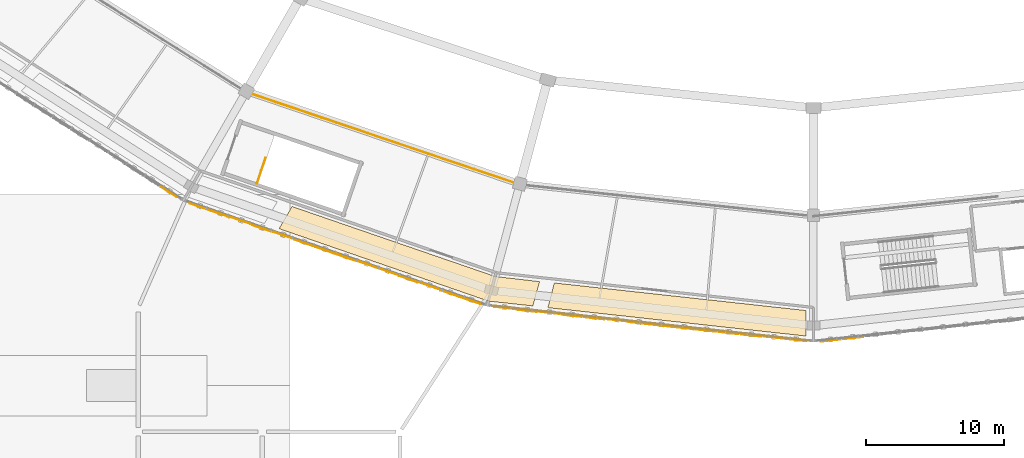
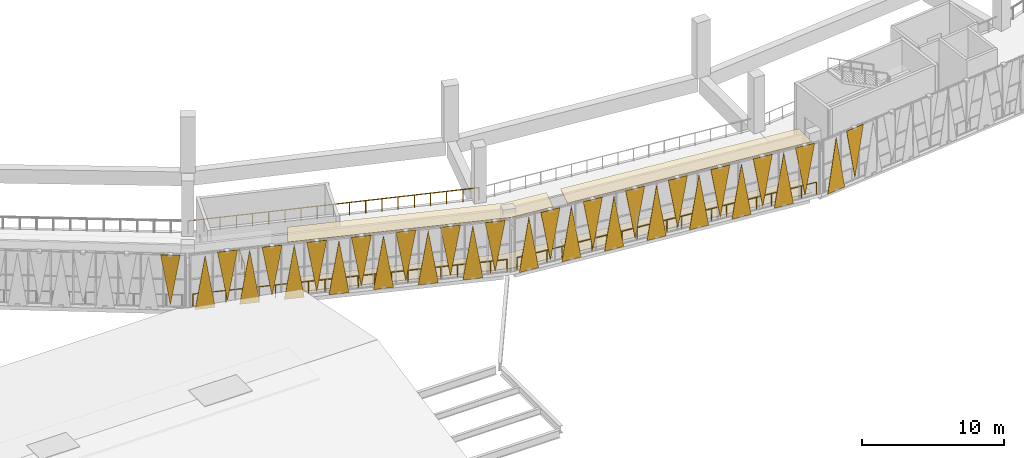
# One storey, part 85 of 108: 35 coverings, 4 railings.
"""IFC4 building model written with IfcOpenShell, lengths in metres."""

from ifc_helpers import new_model, si_unit, direction, frame, origin, origin_2d, place, context, subcontext, project, spatial, polyline, circle, outline, extrude, material, layer, layer_set, type_object, element, save


model = new_model("IFC4")

# Units and contexts
model_context = context("Model", 3, precision=1e-05, world=origin(), true_north=direction((0.0, 1.0)))
body_context = subcontext(model_context, "Body", "Model", "MODEL_VIEW")
ifc_project = project(units=[si_unit("LENGTHUNIT", "METRE"), si_unit("AREAUNIT", "SQUARE_METRE"), si_unit("VOLUMEUNIT", "CUBIC_METRE"), si_unit("PLANEANGLEUNIT", "RADIAN"), si_unit("MASSUNIT", "GRAM", prefix="KILO")], contexts=[model_context])

# Site, building, storey
site_placement = place(None, origin())
site = spatial("IfcSite", under=ifc_project, at=site_placement, CompositionType="ELEMENT")
building_placement = place(site_placement, origin())
building = spatial("IfcBuilding", under=site, at=building_placement, Name="Zevraka Park Crest Stadium", CompositionType="ELEMENT")
storey_placement = place(building_placement, frame((0.0, 0.0, 19.800048828125)))
storey = spatial("IfcBuildingStorey", under=building, at=storey_placement, Name="L04", CompositionType="ELEMENT", Elevation=19.800048828125)

# Coverings
ifc_material_1 = material(Name="Architectural golden-bronze perforated aluminium", Category="aluminium")
ifc_layer_1 = layer(ifc_material_1, 0.034912109375)
ifc_layer_set_1 = layer_set([ifc_layer_1], Name="Architectural golden-bronze perforated aluminium")
covering_type_1 = type_object("IfcCoveringType", Name="CLD01", PredefinedType="CLADDING", material=ifc_layer_set_1)
covering_1_placement = place(storey_placement, frame((65.803955078125, 26.034912109375, 4.52001953125), z_axis=(0.539794335402, 0.841796917823, 0.000156883126), x_axis=(-0.841796928182, 0.539794342045, 0.0)))
element("IfcCovering", 1, at=covering_1_placement, inside=storey, type_object=covering_type_1, Name="Triangular Golden-Bronze Perforated Cladding L04-15-14", PredefinedType="CLADDING", context=body_context, shape_type="SweptSolid", body=[
    extrude(outline(polyline([(0.0, 0.0), (1.3839906318215187, -1.3552527156068805e-20), (0.691847853710497, -4.30004888104208), (0.0, 0.0)])), origin(), (0.0, 0.0, -1.0), 0.034912109375),
])
covering_2_placement = place(storey_placement, frame((66.7509765625, 25.575927734375, -0.219970703125), z_axis=(0.327569382519, 0.944827124489, 6.6818913e-05), x_axis=(0.944827126599, -0.327569383251, 0.0)))
element("IfcCovering", 2, at=covering_2_placement, inside=storey, type_object=covering_type_1, Name="Triangular Golden-Bronze Perforated Cladding L04-16-1", PredefinedType="CLADDING", context=body_context, shape_type="SweptSolid", body=[
    extrude(outline(polyline([(0.0, 0.0), (1.4436648075350447, 0.0), (0.7220676986010613, -4.579833994598946), (0.0, 0.0)])), origin(), (0.0, 0.0, -1.0), 0.034912109375),
])
covering_3_placement = place(storey_placement, frame((69.631103515625, 24.577880859375, 4.52001953125), z_axis=(0.327511028008, 0.944847346538, 0.000135182038), x_axis=(-0.944847355171, 0.327511031, 0.0)))
element("IfcCovering", 3, at=covering_3_placement, inside=storey, type_object=covering_type_1, Name="Triangular Golden-Bronze Perforated Cladding L04-16-2", PredefinedType="CLADDING", context=body_context, shape_type="SweptSolid", body=[
    extrude(outline(polyline([(0.0, 0.0), (1.4446674660249328, 0.0), (0.7221476370723403, -4.300048867414942), (0.0, 0.0)])), origin(), (0.0, 0.0, -1.0), 0.034912109375),
])
covering_4_placement = place(storey_placement, frame((69.781982421875, 24.52587890625, -0.219970703125), z_axis=(-0.327569380281, -0.944827118034, 0.000134647502), x_axis=(0.944827126599, -0.327569383251, 0.0)))
element("IfcCovering", 4, at=covering_4_placement, inside=storey, type_object=covering_type_1, Name="Triangular Golden-Bronze Perforated Cladding L04-16-3", PredefinedType="CLADDING", context=body_context, shape_type="SweptSolid", body=[
    extrude(outline(polyline([(0.0, 0.0), (1.4436648075350447, 0.0), (0.7217478066252305, 4.579834025891081), (0.0, 0.0)])), origin(), (0.0, 0.0, -1.0), 0.034912109375),
])
covering_5_placement = place(storey_placement, frame((72.662109375, 23.529052734375, 4.52001953125), z_axis=(0.326756380896, 0.945108600925, 9.98142e-07), x_axis=(-0.945108600926, 0.326756380896, 0.0)))
element("IfcCovering", 5, at=covering_5_placement, inside=storey, type_object=covering_type_1, Name="Triangular Golden-Bronze Perforated Cladding L04-16-4", PredefinedType="CLADDING", context=body_context, shape_type="SweptSolid", body=[
    extrude(outline(polyline([(0.0, 0.0), (1.4442681328241207, 5.293955920339377e-23), (0.7217480700517487, -4.300048828127142), (0.0, 0.0)])), origin(), (0.0, 0.0, -1.0), 0.034912109375),
])
covering_6_placement = place(storey_placement, frame((72.81298828125, 23.47607421875, -0.219970703125), z_axis=(-0.327116373158, -0.944984062477, 8.718918e-06), x_axis=(0.944984062513, -0.32711637317, 0.0)))
element("IfcCovering", 6, at=covering_6_placement, inside=storey, type_object=covering_type_1, Name="Triangular Golden-Bronze Perforated Cladding L04-16-5", PredefinedType="CLADDING", context=body_context, shape_type="SweptSolid", body=[
    extrude(outline(polyline([(0.0, 0.0), (1.4434250544366414, 8.470329472543003e-22), (0.7218278817181392, 4.579833984549079), (0.0, 0.0)])), origin(), (0.0, 0.0, -1.0), 0.034912109375),
])
covering_7_placement = place(storey_placement, frame((75.693115234375, 22.47900390625, 4.52001953125), z_axis=(0.32696531961, 0.945036337642, 1.7545876e-05), x_axis=(-0.945036337788, 0.326965319661, 0.0)))
element("IfcCovering", 7, at=covering_7_placement, inside=storey, type_object=covering_type_1, Name="Triangular Golden-Bronze Perforated Cladding L04-16-6", PredefinedType="CLADDING", context=body_context, shape_type="SweptSolid", body=[
    extrude(outline(polyline([(0.0, 0.0), (1.443345210479487, 0.0), (0.7218278788795688, -4.3000488287869025), (0.0, 0.0)])), origin(), (0.0, 0.0, -1.0), 0.034912109375),
])
covering_8_placement = place(storey_placement, frame((75.843994140625, 22.427001953125, -0.219970703125), z_axis=(0.327569380281, 0.944827118034, 0.000134647502), x_axis=(0.944827126599, -0.327569383251, 0.0)))
element("IfcCovering", 8, at=covering_8_placement, inside=storey, type_object=covering_type_1, Name="Triangular Golden-Bronze Perforated Cladding L04-16-7", PredefinedType="CLADDING", context=body_context, shape_type="SweptSolid", body=[
    extrude(outline(polyline([(0.0, 0.0), (1.4436648075350447, 0.0), (0.7219170009098143, -4.579834025891081), (0.0, 0.0)])), origin(), (0.0, 0.0, -1.0), 0.034912109375),
])
covering_9_placement = place(storey_placement, frame((78.72412109375, 21.428955078125, 4.52001953125), z_axis=(0.327720334869, 0.944774773432, 9.7978163e-05), x_axis=(-0.944774777967, 0.327720336442, 0.0)))
element("IfcCovering", 9, at=covering_9_placement, inside=storey, type_object=covering_type_1, Name="Triangular Golden-Bronze Perforated Cladding L04-16-8", PredefinedType="CLADDING", context=body_context, shape_type="SweptSolid", body=[
    extrude(outline(polyline([(0.0, 0.0), (1.4437447989564163, 0.0), (0.7221477481261248, -4.300048848764634), (0.0, 0.0)])), origin(), (0.0, 0.0, -1.0), 0.034912109375),
])
covering_10_placement = place(storey_placement, frame((78.875, 21.376953125, -0.219970703125), z_axis=(-0.326965319616, -0.945036337659, 1.6473986e-05), x_axis=(0.945036337788, -0.326965319661, 0.0)))
element("IfcCovering", 10, at=covering_10_placement, inside=storey, type_object=covering_type_1, Name="Triangular Golden-Bronze Perforated Cladding L04-16-9", PredefinedType="CLADDING", context=body_context, shape_type="SweptSolid", body=[
    extrude(outline(polyline([(0.0, 0.0), (1.4433452104794873, -8.470329472543003e-22), (0.7215173315999183, 4.5798339849964655), (0.0, 0.0)])), origin(), (0.0, 0.0, -1.0), 0.034912109375),
])
covering_11_placement = place(storey_placement, frame((81.7548828125, 20.3798828125, 4.52001953125), z_axis=(-0.327168665481, -0.944965959348, 0.0), x_axis=(-0.944965959348, 0.327168665481, 0.0)))
element("IfcCovering", 11, at=covering_11_placement, inside=storey, type_object=covering_type_1, Name="Triangular Golden-Bronze Perforated Cladding L04-16-10", PredefinedType="CLADDING", context=body_context, shape_type="SweptSolid", body=[
    extrude(outline(polyline([(0.0, 0.0), (1.4431943476466869, 0.0), (0.7215971738233434, 4.300048828125001), (0.0, 0.0)])), origin(), (0.0, 0.0, -1.0), 0.034912109375),
])
covering_12_placement = place(storey_placement, frame((81.906005859375, 20.326904296875, -0.219970703125), z_axis=(0.326756380841, 0.945108600766, 1.8355811e-05), x_axis=(0.945108600926, -0.326756380896, 0.0)))
element("IfcCovering", 12, at=covering_12_placement, inside=storey, type_object=covering_type_1, Name="Triangular Golden-Bronze Perforated Cladding L04-16-11", PredefinedType="CLADDING", context=body_context, shape_type="SweptSolid", body=[
    extrude(outline(polyline([(0.0, 0.0), (1.4442681328241207, 0.0), (0.7215173306472258, -4.579833985146555), (0.0, 0.0)])), origin(), (0.0, 0.0, -1.0), 0.034912109375),
])
covering_13_placement = place(storey_placement, frame((84.785888671875, 19.330078125, 4.52001953125), z_axis=(-0.327621727638, -0.944808967779, 0.000134106763), x_axis=(-0.944808976275, 0.327621730584, 0.0)))
element("IfcCovering", 13, at=covering_13_placement, inside=storey, type_object=covering_type_1, Name="Triangular Golden-Bronze Perforated Cladding L04-16-12", PredefinedType="CLADDING", context=body_context, shape_type="SweptSolid", body=[
    extrude(outline(polyline([(0.0, 0.0), (1.4434341390652787, 0.0), (0.7215171050974682, 4.300048866792382), (0.0, 0.0)])), origin(), (0.0, 0.0, -1.0), 0.034912109375),
])
covering_14_placement = place(storey_placement, frame((84.93701171875, 19.278076171875, -0.219970703125), z_axis=(0.327511027586, 0.944847345323, 0.00014438255), x_axis=(0.944847355171, -0.327511031, 0.0)))
element("IfcCovering", 14, at=covering_14_placement, inside=storey, type_object=covering_type_1, Name="Triangular Golden-Bronze Perforated Cladding L04-16-13", PredefinedType="CLADDING", context=body_context, shape_type="SweptSolid", body=[
    extrude(outline(polyline([(0.0, 0.0), (1.4446674660249328, 0.0), (0.7219169614485192, -4.5798340321113455), (0.0, 0.0)])), origin(), (0.0, 0.0, -1.0), 0.034912109375),
])
covering_15_placement = place(storey_placement, frame((87.81689453125, 18.280029296875, 4.52001953125), z_axis=(0.327569379882, 0.944827116883, 0.000143408419), x_axis=(-0.944827126599, 0.327569383251, 0.0)))
element("IfcCovering", 15, at=covering_15_placement, inside=storey, type_object=covering_type_1, Name="Triangular Golden-Bronze Perforated Cladding L04-16-14", PredefinedType="CLADDING", context=body_context, shape_type="SweptSolid", body=[
    extrude(outline(polyline([(0.0, 0.0), (1.4436648075350447, 1.3552527156068805e-20), (0.7219170009098143, -4.300048872342348), (0.0, 0.0)])), origin(), (0.0, 0.0, -1.0), 0.034912109375),
])
covering_16_placement = place(storey_placement, frame((88.844970703125, 18.049072265625, -0.219970703125), z_axis=(-0.109760215407, -0.993958095246, 2.925535e-06), x_axis=(0.99395809525, -0.109760215408, 0.0)))
element("IfcCovering", 16, at=covering_16_placement, inside=storey, type_object=covering_type_1, Name="Triangular Golden-Bronze Perforated Cladding L04-17-1", PredefinedType="CLADDING", context=body_context, shape_type="SweptSolid", body=[
    extrude(outline(polyline([(0.0, 0.0), (1.4769411156667285, 0.0), (0.7385918906086634, 4.579833984394599), (0.0, 0.0)])), origin(), (0.0, 0.0, -1.0), 0.034912109375),
])
covering_17_placement = place(storey_placement, frame((91.94091796875, 17.7080078125, 4.52001953125), z_axis=(0.109688126843, 0.993966053036, 1.55692e-05), x_axis=(-0.993966053156, 0.109688126857, 0.0)))
element("IfcCovering", 17, at=covering_17_placement, inside=storey, type_object=covering_type_1, Name="Triangular Golden-Bronze Perforated Cladding L04-17-2", PredefinedType="CLADDING", context=body_context, shape_type="SweptSolid", body=[
    extrude(outline(polyline([(0.0, 0.0), (1.477911781756094, 0.0), (0.7383492221444313, -4.300048828646166), (0.0, 0.0)])), origin(), (0.0, 0.0, -1.0), 0.034912109375),
])
covering_18_placement = place(storey_placement, frame((92.10009765625, 17.69091796875, -0.219970703125), z_axis=(-0.10952491697, -0.993984050386, 1.1897208e-05), x_axis=(0.993984050456, -0.109524916977, 0.0)))
element("IfcCovering", 18, at=covering_18_placement, inside=storey, type_object=covering_type_1, Name="Triangular Golden-Bronze Perforated Cladding L04-17-3", PredefinedType="CLADDING", context=body_context, shape_type="SweptSolid", body=[
    extrude(outline(polyline([(0.0, 0.0), (1.477885022351149, 0.0), (0.7383224617164366, 4.579833984699124), (0.0, 0.0)])), origin(), (0.0, 0.0, -1.0), 0.034912109375),
])
covering_19_placement = place(storey_placement, frame((95.196044921875, 17.35009765625, 4.52001953125), z_axis=(0.108943553738, 0.994047934179, 8.156476e-05), x_axis=(-0.994047937486, 0.1089435541, 0.0)))
element("IfcCovering", 19, at=covering_19_placement, inside=storey, type_object=covering_type_1, Name="Triangular Golden-Bronze Perforated Cladding L04-17-4", PredefinedType="CLADDING", context=body_context, shape_type="SweptSolid", body=[
    extrude(outline(polyline([(0.0, 0.0), (1.476807629456759, -1.6940658945086007e-21), (0.73856505479183, -4.300048842428705), (0.0, 0.0)])), origin(), (0.0, 0.0, -1.0), 0.034912109375),
])
covering_20_placement = place(storey_placement, frame((95.35595703125, 17.33203125, -0.219970703125), z_axis=(0.109106903485, 0.994030016141, 0.000103070877), x_axis=(0.994030021421, -0.109106904064, 0.0)))
element("IfcCovering", 20, at=covering_20_placement, inside=storey, type_object=covering_type_1, Name="Triangular Golden-Bronze Perforated Cladding L04-17-5", PredefinedType="CLADDING", context=body_context, shape_type="SweptSolid", body=[
    extrude(outline(polyline([(0.0, 0.0), (1.4768342469445075, 0.0), (0.738591739883103, -4.579834008702176), (0.0, 0.0)])), origin(), (0.0, 0.0, -1.0), 0.034912109375),
])
covering_21_placement = place(storey_placement, frame((98.451904296875, 16.990966796875, 4.52001953125), z_axis=(-0.109688126852, -0.993966053113, 9.34152e-06), x_axis=(-0.993966053156, 0.109688126857, 0.0)))
element("IfcCovering", 21, at=covering_21_placement, inside=storey, type_object=covering_type_1, Name="Triangular Golden-Bronze Perforated Cladding L04-17-6", PredefinedType="CLADDING", context=body_context, shape_type="SweptSolid", body=[
    extrude(outline(polyline([(0.0, 0.0), (1.477911781756094, -2.117582368135751e-22), (0.7393198921182166, 4.30004882831262), (0.0, 0.0)])), origin(), (0.0, 0.0, -1.0), 0.034912109375),
])
covering_22_placement = place(storey_placement, frame((98.611083984375, 16.97412109375, -0.219970703125), z_axis=(0.109760215407, 0.993958095246, 2.925535e-06), x_axis=(0.99395809525, -0.109760215408, 0.0)))
element("IfcCovering", 22, at=covering_22_placement, inside=storey, type_object=covering_type_1, Name="Triangular Golden-Bronze Perforated Cladding L04-17-7", PredefinedType="CLADDING", context=body_context, shape_type="SweptSolid", body=[
    extrude(outline(polyline([(0.0, 0.0), (1.4769411156667285, 0.0), (0.7383492250580652, -4.579833984394599), (0.0, 0.0)])), origin(), (0.0, 0.0, -1.0), 0.034912109375),
])
covering_23_placement = place(storey_placement, frame((101.70703125, 16.633056640625, 4.52001953125), z_axis=(0.109596900839, 0.993976115757, 2.5105865e-05), x_axis=(-0.993976116071, 0.109596900874, 0.0)))
element("IfcCovering", 23, at=covering_23_placement, inside=storey, type_object=covering_type_1, Name="Triangular Golden-Bronze Perforated Cladding L04-17-8", PredefinedType="CLADDING", context=body_context, shape_type="SweptSolid", body=[
    extrude(outline(polyline([(0.0, 0.0), (1.4769143386748145, 0.0), (0.7385918828404522, -4.300048829480171), (0.0, 0.0)])), origin(), (0.0, 0.0, -1.0), 0.034912109375),
])
covering_24_placement = place(storey_placement, frame((101.865966796875, 16.615966796875, -0.219970703125), z_axis=(0.10952491697, 0.993984050386, 1.1897208e-05), x_axis=(0.993984050456, -0.109524916977, 0.0)))
element("IfcCovering", 24, at=covering_24_placement, inside=storey, type_object=covering_type_1, Name="Triangular Golden-Bronze Perforated Cladding L04-17-9", PredefinedType="CLADDING", context=body_context, shape_type="SweptSolid", body=[
    extrude(outline(polyline([(0.0, 0.0), (1.477885022351149, 0.0), (0.7395625606347125, -4.579833984699124), (0.0, 0.0)])), origin(), (0.0, 0.0, -1.0), 0.034912109375),
])
covering_25_placement = place(storey_placement, frame((104.9619140625, 16.27490234375, 4.52001953125), z_axis=(0.10910690333, 0.994030014736, 0.000115971923), x_axis=(-0.994030021421, 0.109106904064, 0.0)))
element("IfcCovering", 25, at=covering_25_placement, inside=storey, type_object=covering_type_1, Name="Triangular Golden-Bronze Perforated Cladding L04-17-10", PredefinedType="CLADDING", context=body_context, shape_type="SweptSolid", body=[
    extrude(outline(polyline([(0.0, 0.0), (1.4768342469445075, 3.3881317890172014e-21), (0.7383490567724047, -4.300048857041725), (0.0, 0.0)])), origin(), (0.0, 0.0, -1.0), 0.034912109375),
])
covering_26_placement = place(storey_placement, frame((105.1220703125, 16.257080078125, -0.219970703125), z_axis=(0.109106903417, 0.994030015528, 0.00010888712), x_axis=(0.994030021421, -0.109106904064, 0.0)))
element("IfcCovering", 26, at=covering_26_placement, inside=storey, type_object=covering_type_1, Name="Triangular Golden-Bronze Perforated Cladding L04-17-11", PredefinedType="CLADDING", context=body_context, shape_type="SweptSolid", body=[
    extrude(outline(polyline([(0.0, 0.0), (1.4768342469445075, 0.0), (0.7383490567724047, -4.579834011525183), (0.0, 0.0)])), origin(), (0.0, 0.0, -1.0), 0.034912109375),
])
covering_27_placement = place(storey_placement, frame((108.218017578125, 15.916015625, 4.52001953125), z_axis=(0.1095249169, 0.993984049756, 3.7544961e-05), x_axis=(-0.993984050456, 0.109524916977, 0.0)))
element("IfcCovering", 27, at=covering_27_placement, inside=storey, type_object=covering_type_1, Name="Triangular Golden-Bronze Perforated Cladding L04-17-12", PredefinedType="CLADDING", context=body_context, shape_type="SweptSolid", body=[
    extrude(outline(polyline([(0.0, 0.0), (1.477885022351149, 0.0), (0.7385918730854389, -4.300048831155727), (0.0, 0.0)])), origin(), (0.0, 0.0, -1.0), 0.034912109375),
])
covering_28_placement = place(storey_placement, frame((108.376953125, 15.89892578125, -0.219970703125), z_axis=(-0.10952491696, -0.9939840503, 1.7735735e-05), x_axis=(0.993984050456, -0.109524916977, 0.0)))
element("IfcCovering", 28, at=covering_28_placement, inside=storey, type_object=covering_type_1, Name="Triangular Golden-Bronze Perforated Cladding L04-17-13", PredefinedType="CLADDING", context=body_context, shape_type="SweptSolid", body=[
    extrude(outline(polyline([(0.0, 0.0), (1.477885022351149, -4.235164736271502e-22), (0.738565133603755, 4.579833985095308), (0.0, 0.0)])), origin(), (0.0, 0.0, -1.0), 0.034912109375),
])
covering_29_placement = place(storey_placement, frame((111.472900390625, 15.55810546875, 4.52001953125), z_axis=(-0.109596900839, -0.993976115757, 2.5105865e-05), x_axis=(-0.993976116071, 0.109596900874, 0.0)))
element("IfcCovering", 29, at=covering_29_placement, inside=storey, type_object=covering_type_1, Name="Triangular Golden-Bronze Perforated Cladding L04-17-14", PredefinedType="CLADDING", context=body_context, shape_type="SweptSolid", body=[
    extrude(outline(polyline([(0.0, 0.0), (1.4769143386748145, 0.0), (0.7383224558343622, 4.300048829480171), (0.0, 0.0)])), origin(), (0.0, 0.0, -1.0), 0.034912109375),
])
covering_30_placement = place(storey_placement, frame((112.527099609375, 15.55810546875, -0.219970703125), z_axis=(-0.109596900843, 0.993976115794, 2.3572131e-05), x_axis=(0.993976116071, 0.109596900874, 0.0)))
element("IfcCovering", 30, at=covering_30_placement, inside=storey, type_object=covering_type_1, Name="Triangular Golden-Bronze Perforated Cladding L04-18-1", PredefinedType="CLADDING", context=body_context, shape_type="SweptSolid", body=[
    extrude(outline(polyline([(0.0, 0.0), (1.4769143386748145, 0.0), (0.7383224558343622, -4.579833985647383), (0.0, 0.0)])), origin(), (0.0, 0.0, -1.0), 0.034912109375),
])
covering_31_placement = place(storey_placement, frame((115.623046875, 15.89892578125, 4.52001953125), z_axis=(-0.109524916958, 0.993984050279, 1.8889721e-05), x_axis=(-0.993984050456, -0.109524916977, 0.0)))
element("IfcCovering", 31, at=covering_31_placement, inside=storey, type_object=covering_type_1, Name="Triangular Golden-Bronze Perforated Cladding L04-18-2", PredefinedType="CLADDING", context=body_context, shape_type="SweptSolid", body=[
    extrude(outline(polyline([(0.0, 0.0), (1.477885022351149, 0.0), (0.738565133603755, -4.300048828892176), (0.0, 0.0)])), origin(), (0.0, 0.0, -1.0), 0.034912109375),
])
ifc_material_2 = material(Name="Perforated acoustic mineral-fibre suspended ceiling", Category="other")
ifc_layer_2 = layer(ifc_material_2, 0.02490234375)
ifc_layer_set_2 = layer_set([ifc_layer_2], Name="Perforated acoustic mineral-fibre suspended ceiling")
covering_type_2 = type_object("IfcCoveringType", Name="CLG01", PredefinedType="CEILING", material=ifc_layer_set_2)
covering_32_placement = place(storey_placement, frame((0.0, 0.0, 4.39990234375)))
element("IfcCovering", 32, at=covering_32_placement, inside=storey, type_object=covering_type_2, Name="Acoustic Ceiling Hospitality Suite L04-037", PredefinedType="CEILING", context=body_context, shape_type="SweptSolid", body=[
    extrude(outline(polyline([(73.218017578125, 23.738037109375), (74.160888671875, 25.345947265625), (88.884033203125, 20.27490234375), (88.905029296875, 20.26904296875), (88.926025390625, 20.264892578125), (92.125, 19.89599609375), (91.636962890625, 18.1279296875), (88.406005859375, 18.47900390625), (73.218017578125, 23.738037109375)])), origin(), (0.0, 0.0, 1.0), 0.025146484375),
])
covering_33_placement = place(storey_placement, frame((0.0, 0.0, 4.39990234375)))
element("IfcCovering", 33, at=covering_33_placement, inside=storey, type_object=covering_type_2, Name="Acoustic Ceiling Hospitality Suite L04-038", PredefinedType="CEILING", context=body_context, shape_type="SweptSolid", body=[
    extrude(outline(polyline([(92.72607421875, 18.00390625), (93.197021484375, 19.798095703125), (111.47607421875, 17.7958984375), (111.468017578125, 15.94091796875), (92.72607421875, 18.00390625)])), origin(), (0.0, 0.0, 1.0), 0.025146484375),
])
ifc_material_3 = material(Name="Honed terrazzo and slip-resistant sports flooring", Category="other")
ifc_layer_3 = layer(ifc_material_3, 0.0400390625)
ifc_layer_set_3 = layer_set([ifc_layer_3], Name="Honed terrazzo and slip-resistant sports flooring")
covering_type_3 = type_object("IfcCoveringType", Name="FLR01", PredefinedType="FLOORING", material=ifc_layer_set_3)
covering_34_placement = place(storey_placement, origin())
element("IfcCovering", 34, at=covering_34_placement, inside=storey, type_object=covering_type_3, Name="Terrazzo Floor Finish Hospitality Suite L04-037", PredefinedType="FLOORING", context=body_context, shape_type="SweptSolid", body=[
    extrude(outline(polyline([(73.218017578125, 23.738037109375), (74.160888671875, 25.345947265625), (88.884033203125, 20.27490234375), (88.905029296875, 20.26904296875), (88.926025390625, 20.264892578125), (92.125, 19.89599609375), (91.636962890625, 18.1279296875), (88.406005859375, 18.47900390625), (73.218017578125, 23.738037109375)])), origin(), (0.0, 0.0, 1.0), 0.0400390625),
])
covering_35_placement = place(storey_placement, origin())
element("IfcCovering", 35, at=covering_35_placement, inside=storey, type_object=covering_type_3, Name="Terrazzo Floor Finish Hospitality Suite L04-038", PredefinedType="FLOORING", context=body_context, shape_type="SweptSolid", body=[
    extrude(outline(polyline([(92.72607421875, 18.00390625), (93.197021484375, 19.798095703125), (111.47607421875, 17.7958984375), (111.468017578125, 15.94091796875), (92.72607421875, 18.00390625)])), origin(), (0.0, 0.0, 1.0), 0.0400390625),
])

# Railings
ifc_material_4 = material(Name="Galvanised and bronze-finished steel balustrade", Category="steel")
railing_type_1 = type_object("IfcRailingType", Name="GR01", PredefinedType="GUARDRAIL", material=ifc_material_4)
railing_1_placement = place(storey_placement, frame((111.639892578125, 15.610107421875, 0.0)))
element("IfcRailing", 36, at=railing_1_placement, inside=storey, type_object=railing_type_1, Name="Deck Edge Protection Guardrail GR01 L04-19", PredefinedType="GUARDRAIL", context=body_context, shape_type="SweptSolid", body=[
    extrude(circle(Radius=0.02392578125, at=origin_2d()), frame((0.0, 0.0, 1.076171875), z_axis=(-0.993997671701, 0.109401227843, 0.0), x_axis=(-0.109401227843, -0.993997671701, 0.0)), (0.0, 0.0, 1.0), 23.0703125),
    extrude(circle(Radius=0.02099609375, at=origin_2d()), origin(), (0.0, 0.0, 1.0), 1.052001953125),
    extrude(circle(Radius=0.02099609375, at=origin_2d()), frame((-1.146484375, 0.126220703125, 0.0)), (0.0, 0.0, 1.0), 1.052001953125),
    extrude(circle(Radius=0.02099609375, at=origin_2d()), frame((-2.293212890625, 0.25244140625, 0.0)), (0.0, 0.0, 1.0), 1.052001953125),
    extrude(circle(Radius=0.02099609375, at=origin_2d()), frame((-3.439697265625, 0.378662109375, 0.0)), (0.0, 0.0, 1.0), 1.052001953125),
    extrude(circle(Radius=0.02099609375, at=origin_2d()), frame((-4.58642578125, 0.5048828125, 0.0)), (0.0, 0.0, 1.0), 1.052001953125),
    extrude(circle(Radius=0.02099609375, at=origin_2d()), frame((-5.73291015625, 0.630859375, 0.0)), (0.0, 0.0, 1.0), 1.052001953125),
    extrude(circle(Radius=0.02099609375, at=origin_2d()), frame((-6.879638671875, 0.757080078125, 0.0)), (0.0, 0.0, 1.0), 1.052001953125),
    extrude(circle(Radius=0.02099609375, at=origin_2d()), frame((-8.026123046875, 0.88330078125, 0.0)), (0.0, 0.0, 1.0), 1.052001953125),
    extrude(circle(Radius=0.02099609375, at=origin_2d()), frame((-9.1728515625, 1.009521484375, 0.0)), (0.0, 0.0, 1.0), 1.052001953125),
    extrude(circle(Radius=0.02099609375, at=origin_2d()), frame((-10.3193359375, 1.1357421875, 0.0)), (0.0, 0.0, 1.0), 1.052001953125),
    extrude(circle(Radius=0.02099609375, at=origin_2d()), frame((-11.4658203125, 1.261962890625, 0.0)), (0.0, 0.0, 1.0), 1.052001953125),
    extrude(circle(Radius=0.02099609375, at=origin_2d()), frame((-12.612548828125, 1.38818359375, 0.0)), (0.0, 0.0, 1.0), 1.052001953125),
    extrude(circle(Radius=0.02099609375, at=origin_2d()), frame((-13.759033203125, 1.514404296875, 0.0)), (0.0, 0.0, 1.0), 1.052001953125),
    extrude(circle(Radius=0.02099609375, at=origin_2d()), frame((-14.90576171875, 1.640625, 0.0)), (0.0, 0.0, 1.0), 1.052001953125),
    extrude(circle(Radius=0.02099609375, at=origin_2d()), frame((-16.05224609375, 1.766845703125, 0.0)), (0.0, 0.0, 1.0), 1.052001953125),
    extrude(circle(Radius=0.02099609375, at=origin_2d()), frame((-17.198974609375, 1.89306640625, 0.0)), (0.0, 0.0, 1.0), 1.052001953125),
    extrude(circle(Radius=0.02099609375, at=origin_2d()), frame((-18.345458984375, 2.01904296875, 0.0)), (0.0, 0.0, 1.0), 1.052001953125),
    extrude(circle(Radius=0.02099609375, at=origin_2d()), frame((-19.4921875, 2.145263671875, 0.0)), (0.0, 0.0, 1.0), 1.052001953125),
    extrude(circle(Radius=0.02099609375, at=origin_2d()), frame((-20.638671875, 2.271484375, 0.0)), (0.0, 0.0, 1.0), 1.052001953125),
    extrude(circle(Radius=0.02099609375, at=origin_2d()), frame((-21.785400390625, 2.397705078125, 0.0)), (0.0, 0.0, 1.0), 1.052001953125),
    extrude(circle(Radius=0.02099609375, at=origin_2d()), frame((-22.931884765625, 2.52392578125, 0.0)), (0.0, 0.0, 1.0), 1.052001953125),
])
railing_2_placement = place(storey_placement, frame((87.986083984375, 18.2958984375, 0.0)))
element("IfcRailing", 37, at=railing_2_placement, inside=storey, type_object=railing_type_1, Name="Deck Edge Protection Guardrail GR01 L04-20", PredefinedType="GUARDRAIL", context=body_context, shape_type="SweptSolid", body=[
    extrude(circle(Radius=0.02392578125, at=origin_2d()), frame((0.0, 0.0, 1.076171875), z_axis=(-0.944941623246, 0.327238947341, 0.0), x_axis=(-0.327238947341, -0.944941623246, 0.0)), (0.0, 0.0, 1.0), 22.59814453125),
    extrude(circle(Radius=0.02099609375, at=origin_2d()), origin(), (0.0, 0.0, 1.0), 1.052001953125),
    extrude(circle(Radius=0.02099609375, at=origin_2d()), frame((-1.123779296875, 0.38916015625, 0.0)), (0.0, 0.0, 1.0), 1.052001953125),
    extrude(circle(Radius=0.02099609375, at=origin_2d()), frame((-2.247802734375, 0.7783203125, 0.0)), (0.0, 0.0, 1.0), 1.052001953125),
    extrude(circle(Radius=0.02099609375, at=origin_2d()), frame((-3.37158203125, 1.167724609375, 0.0)), (0.0, 0.0, 1.0), 1.052001953125),
    extrude(circle(Radius=0.02099609375, at=origin_2d()), frame((-4.49560546875, 1.556884765625, 0.0)), (0.0, 0.0, 1.0), 1.052001953125),
    extrude(circle(Radius=0.02099609375, at=origin_2d()), frame((-5.619384765625, 1.946044921875, 0.0)), (0.0, 0.0, 1.0), 1.052001953125),
    extrude(circle(Radius=0.02099609375, at=origin_2d()), frame((-6.743408203125, 2.335205078125, 0.0)), (0.0, 0.0, 1.0), 1.052001953125),
    extrude(circle(Radius=0.02099609375, at=origin_2d()), frame((-7.8671875, 2.724365234375, 0.0)), (0.0, 0.0, 1.0), 1.052001953125),
    extrude(circle(Radius=0.02099609375, at=origin_2d()), frame((-8.9912109375, 3.11376953125, 0.0)), (0.0, 0.0, 1.0), 1.052001953125),
    extrude(circle(Radius=0.02099609375, at=origin_2d()), frame((-10.114990234375, 3.5029296875, 0.0)), (0.0, 0.0, 1.0), 1.052001953125),
    extrude(circle(Radius=0.02099609375, at=origin_2d()), frame((-11.239013671875, 3.89208984375, 0.0)), (0.0, 0.0, 1.0), 1.052001953125),
    extrude(circle(Radius=0.02099609375, at=origin_2d()), frame((-12.36279296875, 4.28125, 0.0)), (0.0, 0.0, 1.0), 1.052001953125),
    extrude(circle(Radius=0.02099609375, at=origin_2d()), frame((-13.48681640625, 4.670654296875, 0.0)), (0.0, 0.0, 1.0), 1.052001953125),
    extrude(circle(Radius=0.02099609375, at=origin_2d()), frame((-14.610595703125, 5.059814453125, 0.0)), (0.0, 0.0, 1.0), 1.052001953125),
    extrude(circle(Radius=0.02099609375, at=origin_2d()), frame((-15.734619140625, 5.448974609375, 0.0)), (0.0, 0.0, 1.0), 1.052001953125),
    extrude(circle(Radius=0.02099609375, at=origin_2d()), frame((-16.8583984375, 5.838134765625, 0.0)), (0.0, 0.0, 1.0), 1.052001953125),
    extrude(circle(Radius=0.02099609375, at=origin_2d()), frame((-17.982421875, 6.227294921875, 0.0)), (0.0, 0.0, 1.0), 1.052001953125),
    extrude(circle(Radius=0.02099609375, at=origin_2d()), frame((-19.106201171875, 6.61669921875, 0.0)), (0.0, 0.0, 1.0), 1.052001953125),
    extrude(circle(Radius=0.02099609375, at=origin_2d()), frame((-20.230224609375, 7.005859375, 0.0)), (0.0, 0.0, 1.0), 1.052001953125),
    extrude(circle(Radius=0.02099609375, at=origin_2d()), frame((-21.35400390625, 7.39501953125, 0.0)), (0.0, 0.0, 1.0), 1.052001953125),
])
railing_3_placement = place(storey_placement, frame((70.823974609375, 33.65087890625, 0.0)))
element("IfcRailing", 38, at=railing_3_placement, inside=storey, type_object=railing_type_1, Name="Deck Edge Protection Guardrail GR01 L04-26", PredefinedType="GUARDRAIL", context=body_context, shape_type="SweptSolid", body=[
    extrude(circle(Radius=0.02392578125, at=origin_2d()), frame((0.0, 0.0, 1.076171875), z_axis=(0.947152565682, -0.320783443031, 0.0), x_axis=(0.320783443031, 0.947152565682, 0.0)), (0.0, 0.0, 1.0), 20.9638671875),
    extrude(circle(Radius=0.02099609375, at=origin_2d()), origin(), (0.0, 0.0, 1.0), 1.052001953125),
    extrude(circle(Radius=0.02099609375, at=origin_2d()), frame((1.10302734375, -0.37353515625, 0.0)), (0.0, 0.0, 1.0), 1.052001953125),
    extrude(circle(Radius=0.02099609375, at=origin_2d()), frame((2.206298828125, -0.747314453125, 0.0)), (0.0, 0.0, 1.0), 1.052001953125),
    extrude(circle(Radius=0.02099609375, at=origin_2d()), frame((3.309326171875, -1.120849609375, 0.0)), (0.0, 0.0, 1.0), 1.052001953125),
    extrude(circle(Radius=0.02099609375, at=origin_2d()), frame((4.412353515625, -1.494384765625, 0.0)), (0.0, 0.0, 1.0), 1.052001953125),
    extrude(circle(Radius=0.02099609375, at=origin_2d()), frame((5.515625, -1.867919921875, 0.0)), (0.0, 0.0, 1.0), 1.052001953125),
    extrude(circle(Radius=0.02099609375, at=origin_2d()), frame((6.61865234375, -2.24169921875, 0.0)), (0.0, 0.0, 1.0), 1.052001953125),
    extrude(circle(Radius=0.02099609375, at=origin_2d()), frame((7.7216796875, -2.615234375, 0.0)), (0.0, 0.0, 1.0), 1.052001953125),
    extrude(circle(Radius=0.02099609375, at=origin_2d()), frame((8.824951171875, -2.98876953125, 0.0)), (0.0, 0.0, 1.0), 1.052001953125),
    extrude(circle(Radius=0.02099609375, at=origin_2d()), frame((9.927978515625, -3.3623046875, 0.0)), (0.0, 0.0, 1.0), 1.052001953125),
    extrude(circle(Radius=0.02099609375, at=origin_2d()), frame((11.031005859375, -3.736083984375, 0.0)), (0.0, 0.0, 1.0), 1.052001953125),
    extrude(circle(Radius=0.02099609375, at=origin_2d()), frame((12.13427734375, -4.109619140625, 0.0)), (0.0, 0.0, 1.0), 1.052001953125),
    extrude(circle(Radius=0.02099609375, at=origin_2d()), frame((13.2373046875, -4.483154296875, 0.0)), (0.0, 0.0, 1.0), 1.052001953125),
    extrude(circle(Radius=0.02099609375, at=origin_2d()), frame((14.34033203125, -4.85693359375, 0.0)), (0.0, 0.0, 1.0), 1.052001953125),
    extrude(circle(Radius=0.02099609375, at=origin_2d()), frame((15.443603515625, -5.23046875, 0.0)), (0.0, 0.0, 1.0), 1.052001953125),
    extrude(circle(Radius=0.02099609375, at=origin_2d()), frame((16.546630859375, -5.60400390625, 0.0)), (0.0, 0.0, 1.0), 1.052001953125),
    extrude(circle(Radius=0.02099609375, at=origin_2d()), frame((17.649658203125, -5.9775390625, 0.0)), (0.0, 0.0, 1.0), 1.052001953125),
    extrude(circle(Radius=0.02099609375, at=origin_2d()), frame((18.7529296875, -6.351318359375, 0.0)), (0.0, 0.0, 1.0), 1.052001953125),
    extrude(circle(Radius=0.02099609375, at=origin_2d()), frame((19.85595703125, -6.724853515625, 0.0)), (0.0, 0.0, 1.0), 1.052001953125),
])
ifc_material_5 = material(Name="Powder-coated tubular steel stairwell guard", Category="steel")
railing_type_2 = type_object("IfcRailingType", Name="GR03", PredefinedType="GUARDRAIL", material=ifc_material_5)
railing_4_placement = place(storey_placement, frame((71.603759765625, 27.01025390625, 0.0)))
element("IfcRailing", 39, at=railing_4_placement, inside=storey, type_object=railing_type_2, Name="L04 ST17 top well guard 1", PredefinedType="GUARDRAIL", context=body_context, shape_type="SweptSolid", body=[
    extrude(circle(Radius=0.02392578125, at=origin_2d()), frame((0.0, 0.0, 1.076171875), z_axis=(0.323989920405, 0.94606053267, 0.0), x_axis=(-0.94606053267, 0.323989920405, 0.0)), (0.0, 0.0, 1.0), 1.9599609375),
    extrude(circle(Radius=0.02099609375, at=origin_2d()), origin(), (0.0, 0.0, 1.0), 1.052001953125),
    extrude(circle(Radius=0.02099609375, at=origin_2d()), frame((0.3173828125, 0.92724609375, 0.0)), (0.0, 0.0, 1.0), 1.052001953125),
    extrude(circle(Radius=0.02099609375, at=origin_2d()), frame((0.635009765625, 1.854248046875, 0.0)), (0.0, 0.0, 1.0), 1.052001953125),
])

save(model, "model.ifc")
